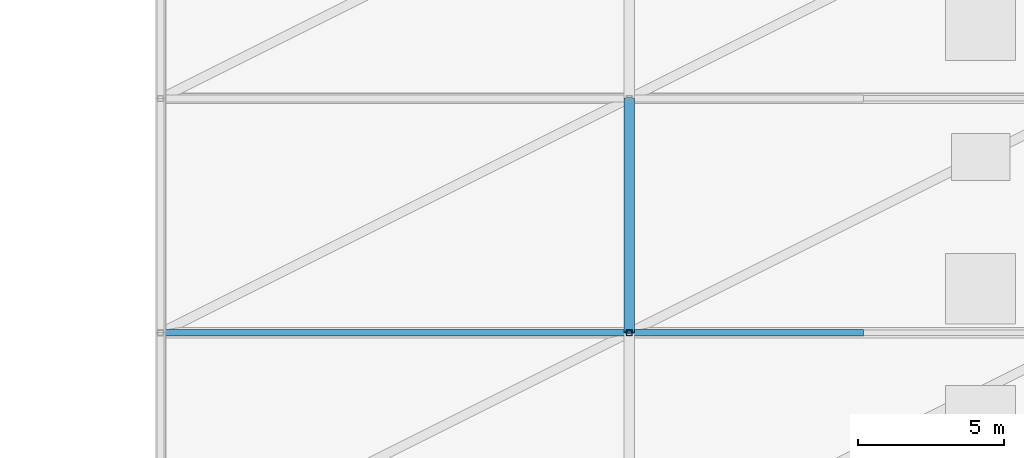
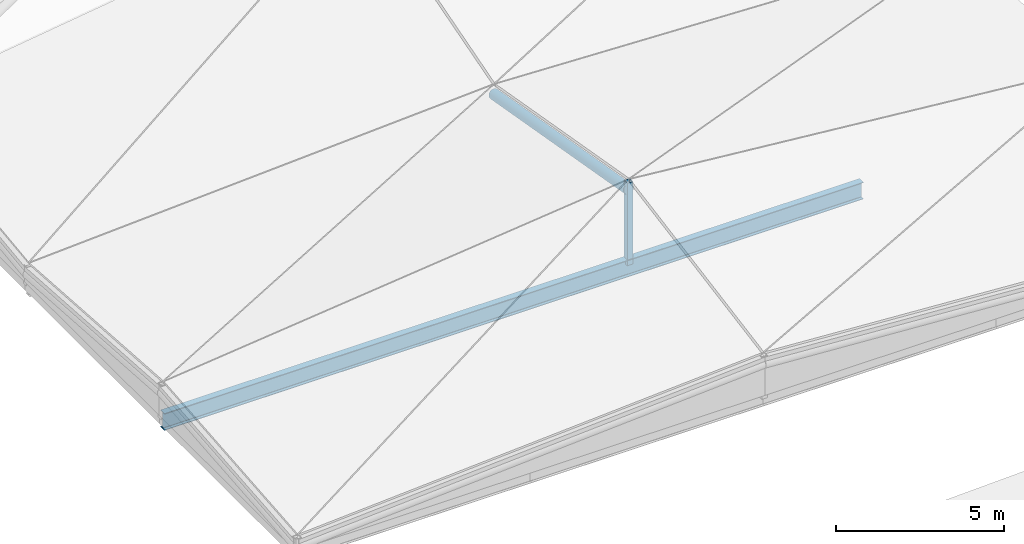
# One storey, part 21 of 44: 2 beams, 1 member.
"""IFC4 building model written with IfcOpenShell, lengths in metres."""

from ifc_helpers import new_model, si_unit, direction, frame, origin, origin_2d, place, context, subcontext, project, spatial, hollow_rectangle, hollow_circle, i_section, extrude, material, material_profile, profile_set, type_object, element, save


model = new_model("IFC4")

# Units and contexts
model_context = context("Model", 3, precision=1e-05, world=origin(), true_north=direction((0.0, 1.0)))
body_context = subcontext(model_context, "Body", "Model", "MODEL_VIEW")
ifc_project = project(units=[si_unit("LENGTHUNIT", "METRE"), si_unit("AREAUNIT", "SQUARE_METRE"), si_unit("VOLUMEUNIT", "CUBIC_METRE"), si_unit("PLANEANGLEUNIT", "RADIAN"), si_unit("MASSUNIT", "GRAM", prefix="KILO")], contexts=[model_context])

# Site, building, storey
site_placement = place(None, origin())
site = spatial("IfcSite", under=ifc_project, at=site_placement, CompositionType="ELEMENT")
building_placement = place(site_placement, origin())
building = spatial("IfcBuilding", under=site, at=building_placement, Name="Tenunan Teduh Sports Hall", CompositionType="ELEMENT")
storey_placement = place(building_placement, frame((0.0, 0.0, 19.199951171875)))
storey = spatial("IfcBuildingStorey", under=building, at=storey_placement, Name="L04", CompositionType="ELEMENT", Elevation=19.199951171875)

# Beam
ifc_material_1 = material(Name="Steel S355", Category="steel")
ifc_material_profile_1 = material_profile(ifc_material_1, hollow_circle(Radius=0.177734375, WallThickness=0.012451171875, at=origin_2d()), Name="CHS 355.6x12.5")
ifc_profile_set_1 = profile_set([ifc_material_profile_1], Name="Steel S355")
beam_type_1 = type_object("IfcBeamType", Name="GSB-CHS356", PredefinedType="BEAM", material=ifc_profile_set_1)
beam_1_placement = place(storey_placement, frame((138.0, 54.0, 2.2900390625), z_axis=(0.0, 0.985032508815, -0.17236866472), x_axis=(-1.0, 0.0, 0.0)))
element("IfcBeam", 1, at=beam_1_placement, inside=storey, type_object=beam_type_1, Name="Gridshell Vault Arch BM-GR-04-L04-0478", PredefinedType="BEAM", context=body_context, shape_type="SweptSolid", body=[
    extrude(hollow_circle(Radius=0.177734375, WallThickness=0.012451171875, at=origin_2d()), origin(), (0.0, 0.0, 1.0), 8.12158203125),
])

# Member
ifc_material_2 = material(Name="Steel S355", Category="steel")
ifc_material_profile_2 = material_profile(ifc_material_2, hollow_rectangle(XDim=0.199951171875, YDim=0.199951171875, WallThickness=0.010009765625, at=origin_2d()), Name="SHS 200x200x10.0")
ifc_profile_set_2 = profile_set([ifc_material_profile_2], Name="Steel S355")
member_type = type_object("IfcMemberType", Name="MEM-ST-SHS200", PredefinedType="STRUT", material=ifc_profile_set_2)
member_placement = place(storey_placement, frame((138.0, 54.0, -0.39990234375), z_axis=(0.0, 0.0, 1.0), x_axis=(1.0, 0.0, 0.0)))
element("IfcMember", 2, at=member_placement, inside=storey, type_object=member_type, Name="MEM-VS-02-L04-0836", PredefinedType="STRUT", context=body_context, shape_type="SweptSolid", body=[
    extrude(hollow_rectangle(XDim=0.199951171875, YDim=0.199951171875, WallThickness=0.010009765625, at=origin_2d()), origin(), (0.0, 0.0, 1.0), 2.989990234375),
])

# Beam
ifc_material_3 = material(Name="Steel S355", Category="steel")
ifc_material_profile_3 = material_profile(ifc_material_3, i_section(OverallWidth=0.22900390625, OverallDepth=0.6123046875, WebThickness=0.011962890625, FlangeThickness=0.01953125, FilletRadius=0.0126953125, at=origin_2d()), Name="UKB 610x229x125")
ifc_profile_set_3 = profile_set([ifc_material_profile_3], Name="Steel S355")
beam_type_2 = type_object("IfcBeamType", Name="SBM-UKB610", PredefinedType="BEAM", material=ifc_profile_set_3)
beam_2_placement = place(storey_placement, frame((122.0, 54.0, -0.5), z_axis=(1.0, 0.0, 0.0), x_axis=(0.0, 1.0, 0.0)))
element("IfcBeam", 3, at=beam_2_placement, inside=storey, type_object=beam_type_2, Name="BM-SB-06-L04-0457", PredefinedType="BEAM", context=body_context, shape_type="SweptSolid", body=[
    extrude(i_section(OverallWidth=0.22900390625, OverallDepth=0.6123046875, WebThickness=0.011962890625, FlangeThickness=0.01953125, FilletRadius=0.0126953125, at=origin_2d()), origin(), (0.0, 0.0, 1.0), 24.0),
])

save(model, "model.ifc")
